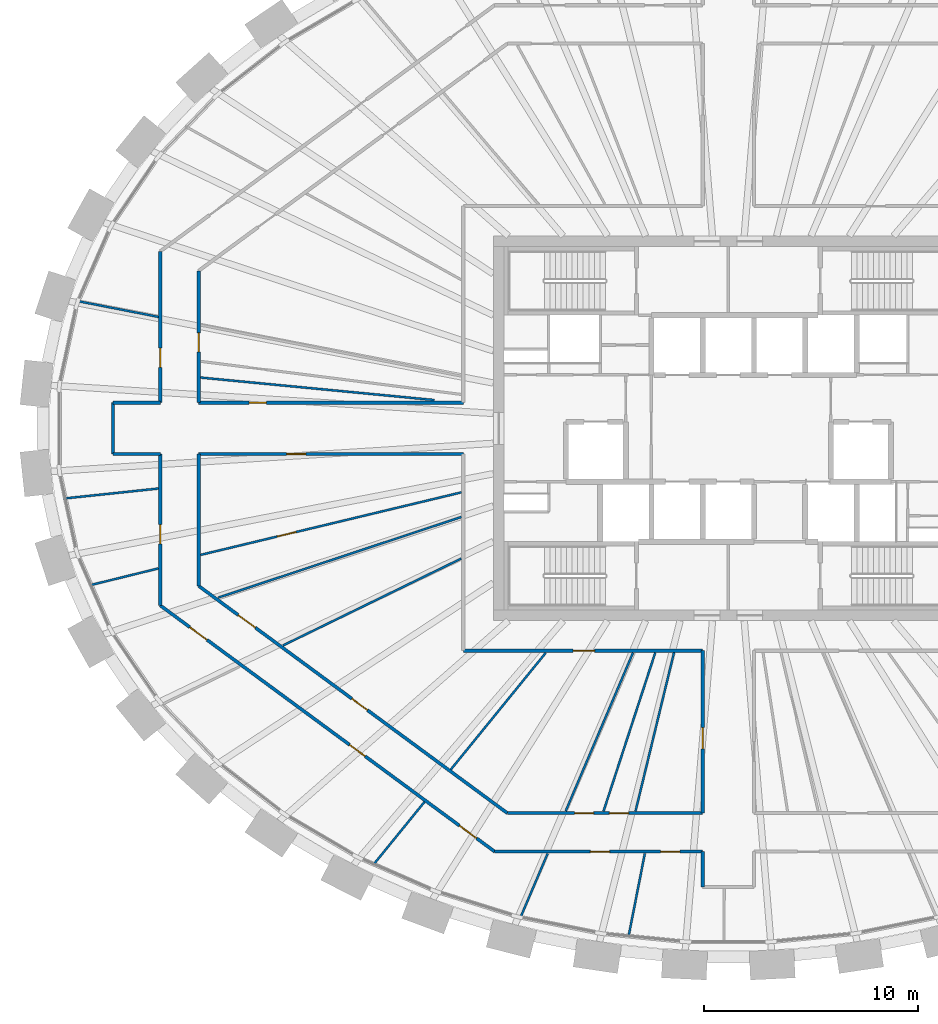
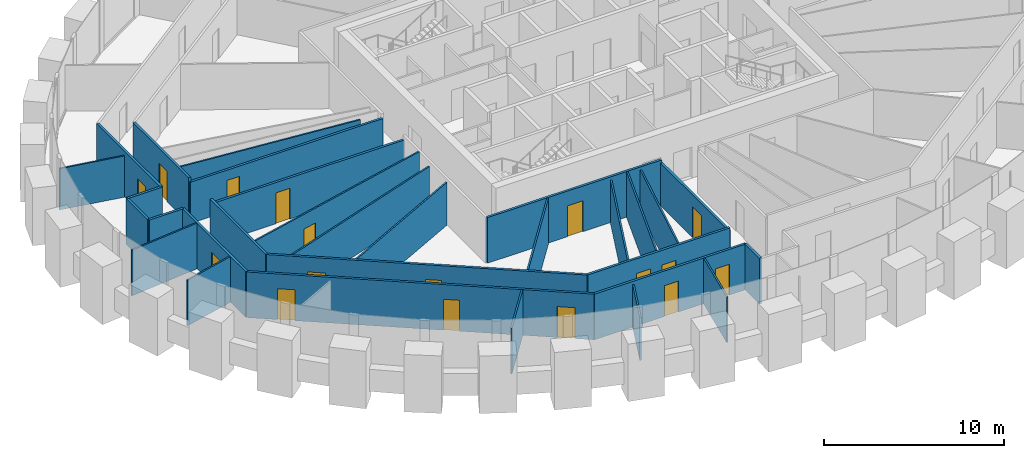
# One storey, part 6 of 12: 30 walls, 17 doors, 17 openings.
"""IFC4 building model written with IfcOpenShell, lengths in metres."""

from ifc_helpers import new_model, si_unit, direction, frame, frame_2d, origin, place, context, subcontext, project, spatial, rectangle, extrude, source, transform, mapped, material, layer, layer_set, type_object, element, fill, save


model = new_model("IFC4")

# Units and contexts
model_context = context("Model", 3, precision=1e-05, world=origin(), true_north=direction((0.0, 1.0)))
body_context = subcontext(model_context, "Body", "Model", "MODEL_VIEW")
ifc_project = project(units=[si_unit("LENGTHUNIT", "METRE"), si_unit("AREAUNIT", "SQUARE_METRE"), si_unit("VOLUMEUNIT", "CUBIC_METRE"), si_unit("PLANEANGLEUNIT", "RADIAN"), si_unit("MASSUNIT", "GRAM", prefix="KILO")], contexts=[model_context])

# Site, building, storey
site_placement = place(None, origin())
site = spatial("IfcSite", under=ifc_project, at=site_placement, CompositionType="ELEMENT")
building_placement = place(site_placement, origin())
building = spatial("IfcBuilding", under=site, at=building_placement, Name="Embergate Tower", CompositionType="ELEMENT")
storey_placement = place(building_placement, frame((0.0, 0.0, 273.39990234375)))
storey = spatial("IfcBuildingStorey", under=building, at=storey_placement, Name="L63", CompositionType="ELEMENT", Elevation=273.39990234375)

# Wall, opening, door
ifc_material_1 = material(Name="Corridor wall dry-lined 150")
ifc_layer_1 = layer(ifc_material_1, 0.14990234375)
ifc_layer_set_1 = layer_set([ifc_layer_1], Name="Corridor wall dry-lined 150")
wall_type_1 = type_object("IfcWallType", Name="Corridor wall dry-lined 150", PredefinedType="PARTITIONING", material=ifc_layer_set_1)
shared_shape_1 = source(origin(), body_context, "Body", "SweptSolid", [
    extrude(rectangle(XDim=11.199951171875, YDim=0.14990234375, at=frame_2d((5.60009765625, 0.0))), origin(), (0.0, 0.0, 1.0), 3.10009765625),
])
wall_1_placement = place(storey_placement, frame((-12.39990234375, -10.39990234375, 0.0), z_axis=(0.0, 0.0, 1.0), x_axis=(1.0, 0.0, 0.0)))
wall_1 = element("IfcWall", 1, at=wall_1_placement, inside=storey, type_object=wall_type_1, Name="IP-2 wall", PredefinedType="PARTITIONING", context=body_context, shape_type="MappedRepresentation", body=[
    mapped(shared_shape_1, transform((0.0, 0.0, 0.0))),
])
shared_shape_2 = source(origin(), body_context, "Body", "SweptSolid", [
    extrude(rectangle(XDim=1.0, YDim=2.10009765625, at=frame_2d((0.5, 1.050048828125))), frame((0.0, 0.0849609375, 0.0), z_axis=(0.0, -1.0, 0.0), x_axis=(1.0, 0.0, 0.0)), (0.0, 0.0, 1.0), 0.169921875),
])
opening_1_placement = place(wall_1_placement, frame((5.139892578125, 0.0, 0.0)))
opening_1 = element("IfcOpeningElement", 2, at=opening_1_placement, cuts=wall_1, Name="Opening ID-2", PredefinedType="OPENING", context=body_context, shape_type="MappedRepresentation", body=[
    mapped(shared_shape_2, transform((0.0, 0.0, 0.0))),
])
ifc_material_2 = material(Name="Interior door 1000")
door_type_1 = type_object("IfcDoorType", Name="Interior door 1000", OperationType="SINGLE_SWING_LEFT", PredefinedType="DOOR", material=ifc_material_2)
shared_shape_3 = source(origin(), body_context, "Body", "SweptSolid", [
    extrude(rectangle(XDim=1.0, YDim=2.10009765625, at=frame_2d((0.5, 1.050048828125))), frame((0.0, 0.02490234375, 0.0), z_axis=(0.0, -1.0, 0.0), x_axis=(1.0, 0.0, 0.0)), (0.0, 0.0, 1.0), 0.050048828125),
])
door_1_placement = place(opening_1_placement, origin())
door_1 = element("IfcDoor", 3, at=door_1_placement, inside=storey, type_object=door_type_1, Name="ID-2 door", OperationType="SINGLE_SWING_RIGHT", OverallHeight=2.10009765625, OverallWidth=1.0, PredefinedType="DOOR", context=body_context, shape_type="MappedRepresentation", body=[
    mapped(shared_shape_3, transform((0.0, 0.0, 0.0))),
])
fill(opening_1, door_1)

# Wall
shared_shape_4 = source(origin(), body_context, "Body", "SweptSolid", [
    extrude(rectangle(XDim=2.39990234375, YDim=0.14990234375, at=frame_2d((1.199951171875, 0.0))), origin(), (0.0, 0.0, 1.0), 3.10009765625),
])
wall_2_placement = place(storey_placement, frame((-28.797119140625, -1.199951171875, 0.0), z_axis=(0.0, 0.0, 1.0), x_axis=(0.0, 1.0, 0.0)))
element("IfcWall", 4, at=wall_2_placement, inside=storey, type_object=wall_type_1, Name="IP-2 wall", PredefinedType="PARTITIONING", context=body_context, shape_type="MappedRepresentation", body=[
    mapped(shared_shape_4, transform((0.0, 0.0, 0.0))),
])

# Wall, openings, doors
shared_shape_5 = source(origin(), body_context, "Body", "SweptSolid", [
    extrude(rectangle(XDim=19.429931640625, YDim=0.14990234375, at=frame_2d((9.71484375, 0.0))), origin(), (0.0, 0.0, 1.0), 3.10009765625),
])
wall_3_placement = place(storey_placement, frame((-26.5810546875, -8.283935546875, 0.0), z_axis=(0.0, 0.0, 1.0), x_axis=(0.8053507143, -0.592798639486, 0.0)))
wall_3 = element("IfcWall", 5, at=wall_3_placement, inside=storey, type_object=wall_type_1, Name="IP-2 wall", PredefinedType="PARTITIONING", context=body_context, shape_type="MappedRepresentation", body=[
    mapped(shared_shape_5, transform((0.0, 0.0, 0.0))),
])
shared_shape_6 = source(origin(), body_context, "Body", "SweptSolid", [
    extrude(rectangle(XDim=0.89990234375, YDim=2.10009765625, at=frame_2d((0.449951171875, 1.050048828125))), frame((0.0, 0.0849609375, 0.0), z_axis=(0.0, -1.0, 0.0), x_axis=(1.0, 0.0, 0.0)), (0.0, 0.0, 1.0), 0.169921875),
])
opening_2_placement = place(wall_3_placement, frame((11.000732421875, 0.0, 0.0)))
opening_2 = element("IfcOpeningElement", 6, at=opening_2_placement, cuts=wall_3, Name="Opening IF-1c", PredefinedType="OPENING", context=body_context, shape_type="MappedRepresentation", body=[
    mapped(shared_shape_6, transform((0.0, 0.0, 0.0))),
])
opening_3_placement = place(wall_3_placement, frame((17.377685546875, 0.0, 0.0)))
opening_3 = element("IfcOpeningElement", 7, at=opening_3_placement, cuts=wall_3, Name="Opening ID-2", PredefinedType="OPENING", context=body_context, shape_type="MappedRepresentation", body=[
    mapped(shared_shape_2, transform((0.0, 0.0, 0.0))),
])
opening_4_placement = place(wall_3_placement, frame((1.71484375, 0.0, 0.0)))
opening_4 = element("IfcOpeningElement", 8, at=opening_4_placement, cuts=wall_3, Name="Opening ID-2", PredefinedType="OPENING", context=body_context, shape_type="MappedRepresentation", body=[
    mapped(shared_shape_2, transform((0.0, 0.0, 0.0))),
])
ifc_material_3 = material(Name="Escape fire door 900")
door_type_2 = type_object("IfcDoorType", Name="Escape fire door 900", OperationType="SINGLE_SWING_LEFT", PredefinedType="DOOR", material=ifc_material_3)
shared_shape_7 = source(origin(), body_context, "Body", "SweptSolid", [
    extrude(rectangle(XDim=0.89990234375, YDim=2.10009765625, at=frame_2d((0.449951171875, 1.050048828125))), frame((0.0, 0.02490234375, 0.0), z_axis=(0.0, -1.0, 0.0), x_axis=(1.0, 0.0, 0.0)), (0.0, 0.0, 1.0), 0.050048828125),
])
door_2_placement = place(opening_2_placement, origin())
door_2 = element("IfcDoor", 9, at=door_2_placement, inside=storey, type_object=door_type_2, Name="IF-1 door", OperationType="SINGLE_SWING_LEFT", OverallHeight=2.10009765625, OverallWidth=0.89990234375, PredefinedType="DOOR", context=body_context, shape_type="MappedRepresentation", body=[
    mapped(shared_shape_7, transform((0.0, 0.0, 0.0))),
])
fill(opening_2, door_2)
door_3_placement = place(opening_3_placement, origin())
door_3 = element("IfcDoor", 10, at=door_3_placement, inside=storey, type_object=door_type_1, Name="ID-2 door", OperationType="SINGLE_SWING_LEFT", OverallHeight=2.10009765625, OverallWidth=1.0, PredefinedType="DOOR", context=body_context, shape_type="MappedRepresentation", body=[
    mapped(shared_shape_3, transform((0.0, 0.0, 0.0))),
])
fill(opening_3, door_3)
door_4_placement = place(opening_4_placement, origin())
door_4 = element("IfcDoor", 11, at=door_4_placement, inside=storey, type_object=door_type_1, Name="ID-2 door", OperationType="SINGLE_SWING_RIGHT", OverallHeight=2.10009765625, OverallWidth=1.0, PredefinedType="DOOR", context=body_context, shape_type="MappedRepresentation", body=[
    mapped(shared_shape_3, transform((0.0, 0.0, 0.0))),
])
fill(opening_4, door_4)

shared_shape_8 = source(origin(), body_context, "Body", "SweptSolid", [
    extrude(rectangle(XDim=9.733154296875, YDim=0.14990234375, at=frame_2d((4.86669921875, 0.0))), origin(), (0.0, 0.0, 1.0), 3.10009765625),
])
wall_4_placement = place(storey_placement, frame((-10.93310546875, -19.802001953125, 0.0), z_axis=(0.0, 0.0, 1.0), x_axis=(1.0, 0.0, 0.0)))
wall_4 = element("IfcWall", 12, at=wall_4_placement, inside=storey, type_object=wall_type_1, Name="IP-2 wall", PredefinedType="PARTITIONING", context=body_context, shape_type="MappedRepresentation", body=[
    mapped(shared_shape_8, transform((0.0, 0.0, 0.0))),
])
opening_5_placement = place(wall_4_placement, frame((4.48095703125, 0.0, 0.0)))
opening_5 = element("IfcOpeningElement", 13, at=opening_5_placement, cuts=wall_4, Name="Opening IF-1c", PredefinedType="OPENING", context=body_context, shape_type="MappedRepresentation", body=[
    mapped(shared_shape_6, transform((0.0, 0.0, 0.0))),
])
opening_6_placement = place(wall_4_placement, frame((7.759033203125, 0.0, 0.0)))
opening_6 = element("IfcOpeningElement", 14, at=opening_6_placement, cuts=wall_4, Name="Opening IF-1c", PredefinedType="OPENING", context=body_context, shape_type="MappedRepresentation", body=[
    mapped(shared_shape_6, transform((0.0, 0.0, 0.0))),
])
door_5_placement = place(opening_5_placement, origin())
door_5 = element("IfcDoor", 15, at=door_5_placement, inside=storey, type_object=door_type_2, Name="IF-1 door", OperationType="SINGLE_SWING_LEFT", OverallHeight=2.10009765625, OverallWidth=0.89990234375, PredefinedType="DOOR", context=body_context, shape_type="MappedRepresentation", body=[
    mapped(shared_shape_7, transform((0.0, 0.0, 0.0))),
])
fill(opening_5, door_5)
door_6_placement = place(opening_6_placement, origin())
door_6 = element("IfcDoor", 16, at=door_6_placement, inside=storey, type_object=door_type_2, Name="IF-1 door", OperationType="SINGLE_SWING_LEFT", OverallHeight=2.10009765625, OverallWidth=0.89990234375, PredefinedType="DOOR", context=body_context, shape_type="MappedRepresentation", body=[
    mapped(shared_shape_7, transform((0.0, 0.0, 0.0))),
])
fill(opening_6, door_6)

shared_shape_9 = source(origin(), body_context, "Body", "SweptSolid", [
    extrude(rectangle(XDim=17.9287109375, YDim=0.14990234375, at=frame_2d((8.96435546875, 0.0))), origin(), (0.0, 0.0, 1.0), 3.10009765625),
])
wall_5_placement = place(storey_placement, frame((-10.342041015625, -18.001953125, 0.0), z_axis=(0.0, 0.0, 1.0), x_axis=(-0.805356928681, 0.592790196803, 0.0)))
wall_5 = element("IfcWall", 17, at=wall_5_placement, inside=storey, type_object=wall_type_1, Name="IP-2 wall", PredefinedType="PARTITIONING", context=body_context, shape_type="MappedRepresentation", body=[
    mapped(shared_shape_9, transform((0.0, 0.0, 0.0))),
])
opening_7_placement = place(wall_5_placement, frame((8.131103515625, 0.0, 0.0)))
opening_7 = element("IfcOpeningElement", 18, at=opening_7_placement, cuts=wall_5, Name="Opening IF-1c", PredefinedType="OPENING", context=body_context, shape_type="MappedRepresentation", body=[
    mapped(shared_shape_6, transform((0.0, 0.0, 0.0))),
])
opening_8_placement = place(wall_5_placement, frame((14.636962890625, 0.0, 0.0)))
opening_8 = element("IfcOpeningElement", 19, at=opening_8_placement, cuts=wall_5, Name="Opening ID-2", PredefinedType="OPENING", context=body_context, shape_type="MappedRepresentation", body=[
    mapped(shared_shape_2, transform((0.0, 0.0, 0.0))),
])
door_7_placement = place(opening_7_placement, origin())
door_7 = element("IfcDoor", 20, at=door_7_placement, inside=storey, type_object=door_type_2, Name="IF-1 door", OperationType="SINGLE_SWING_RIGHT", OverallHeight=2.10009765625, OverallWidth=0.89990234375, PredefinedType="DOOR", context=body_context, shape_type="MappedRepresentation", body=[
    mapped(shared_shape_7, transform((0.0, 0.0, 0.0))),
])
fill(opening_7, door_7)
door_8_placement = place(opening_8_placement, origin())
door_8 = element("IfcDoor", 21, at=door_8_placement, inside=storey, type_object=door_type_1, Name="ID-2 door", OperationType="SINGLE_SWING_RIGHT", OverallHeight=2.10009765625, OverallWidth=1.0, PredefinedType="DOOR", context=body_context, shape_type="MappedRepresentation", body=[
    mapped(shared_shape_3, transform((0.0, 0.0, 0.0))),
])
fill(opening_8, door_8)

shared_shape_10 = source(origin(), body_context, "Body", "SweptSolid", [
    extrude(rectangle(XDim=9.14208984375, YDim=0.14990234375, at=frame_2d((4.571044921875, 0.0))), origin(), (0.0, 0.0, 1.0), 3.10009765625),
])
wall_6_placement = place(storey_placement, frame((-1.199951171875, -18.001953125, 0.0), z_axis=(0.0, 0.0, 1.0), x_axis=(-1.0, 0.0, 0.0)))
wall_6 = element("IfcWall", 22, at=wall_6_placement, inside=storey, type_object=wall_type_1, Name="IP-2 wall", PredefinedType="PARTITIONING", context=body_context, shape_type="MappedRepresentation", body=[
    mapped(shared_shape_10, transform((0.0, 0.0, 0.0))),
])
opening_9_placement = place(wall_6_placement, frame((5.09912109375, 0.0, 0.0)))
opening_9 = element("IfcOpeningElement", 23, at=opening_9_placement, cuts=wall_6, Name="Opening IF-1c", PredefinedType="OPENING", context=body_context, shape_type="MappedRepresentation", body=[
    mapped(shared_shape_6, transform((0.0, 0.0, 0.0))),
])
opening_10_placement = place(wall_6_placement, frame((3.468017578125, 0.0, 0.0)))
opening_10 = element("IfcOpeningElement", 24, at=opening_10_placement, cuts=wall_6, Name="Opening IF-1c", PredefinedType="OPENING", context=body_context, shape_type="MappedRepresentation", body=[
    mapped(shared_shape_6, transform((0.0, 0.0, 0.0))),
])
door_9_placement = place(opening_9_placement, origin())
door_9 = element("IfcDoor", 25, at=door_9_placement, inside=storey, type_object=door_type_2, Name="IF-1 door", OperationType="SINGLE_SWING_LEFT", OverallHeight=2.10009765625, OverallWidth=0.89990234375, PredefinedType="DOOR", context=body_context, shape_type="MappedRepresentation", body=[
    mapped(shared_shape_7, transform((0.0, 0.0, 0.0))),
])
fill(opening_9, door_9)
door_10_placement = place(opening_10_placement, origin())
door_10 = element("IfcDoor", 26, at=door_10_placement, inside=storey, type_object=door_type_2, Name="IF-1 door", OperationType="SINGLE_SWING_RIGHT", OverallHeight=2.10009765625, OverallWidth=0.89990234375, PredefinedType="DOOR", context=body_context, shape_type="MappedRepresentation", body=[
    mapped(shared_shape_7, transform((0.0, 0.0, 0.0))),
])
fill(opening_10, door_10)

# Wall
shared_shape_11 = source(origin(), body_context, "Body", "SweptSolid", [
    extrude(rectangle(XDim=1.656982421875, YDim=0.14990234375, at=frame_2d((0.82861328125, 0.0))), origin(), (0.0, 0.0, 1.0), 3.10009765625),
])
wall_7_placement = place(storey_placement, frame((-1.199951171875, -21.458984375, 0.0), z_axis=(0.0, 0.0, 1.0), x_axis=(0.0, 1.0, 0.0)))
element("IfcWall", 27, at=wall_7_placement, inside=storey, type_object=wall_type_1, Name="IP-2 wall", PredefinedType="PARTITIONING", context=body_context, shape_type="MappedRepresentation", body=[
    mapped(shared_shape_11, transform((0.0, 0.0, 0.0))),
])

# Wall, opening, door
shared_shape_12 = source(origin(), body_context, "Body", "SweptSolid", [
    extrude(rectangle(XDim=7.083984375, YDim=0.14990234375, at=frame_2d((3.5419921875, 0.0))), origin(), (0.0, 0.0, 1.0), 3.10009765625),
])
wall_8_placement = place(storey_placement, frame((-26.5810546875, 8.283935546875, 0.0), z_axis=(0.0, 0.0, 1.0), x_axis=(0.0, -1.0, 0.0)))
wall_8 = element("IfcWall", 28, at=wall_8_placement, inside=storey, type_object=wall_type_1, Name="IP-2 wall", PredefinedType="PARTITIONING", context=body_context, shape_type="MappedRepresentation", body=[
    mapped(shared_shape_12, transform((0.0, 0.0, 0.0))),
])
opening_11_placement = place(wall_8_placement, frame((4.534423828125, 0.0, 0.0)))
opening_11 = element("IfcOpeningElement", 29, at=opening_11_placement, cuts=wall_8, Name="Opening IF-1c", PredefinedType="OPENING", context=body_context, shape_type="MappedRepresentation", body=[
    mapped(shared_shape_6, transform((0.0, 0.0, 0.0))),
])
door_11_placement = place(opening_11_placement, origin())
door_11 = element("IfcDoor", 30, at=door_11_placement, inside=storey, type_object=door_type_2, Name="IF-1 door", OperationType="SINGLE_SWING_RIGHT", OverallHeight=2.10009765625, OverallWidth=0.89990234375, PredefinedType="DOOR", context=body_context, shape_type="MappedRepresentation", body=[
    mapped(shared_shape_7, transform((0.0, 0.0, 0.0))),
])
fill(opening_11, door_11)

wall_9_placement = place(storey_placement, frame((-26.5810546875, -8.283935546875, 0.0), z_axis=(0.0, 0.0, 1.0), x_axis=(0.0, 1.0, 0.0)))
wall_9 = element("IfcWall", 31, at=wall_9_placement, inside=storey, type_object=wall_type_1, Name="IP-2 wall", PredefinedType="PARTITIONING", context=body_context, shape_type="MappedRepresentation", body=[
    mapped(shared_shape_12, transform((0.0, 0.0, 0.0))),
])
opening_12_placement = place(wall_9_placement, frame((2.87744140625, 0.0, 0.0)))
opening_12 = element("IfcOpeningElement", 32, at=opening_12_placement, cuts=wall_9, Name="Opening IF-1c", PredefinedType="OPENING", context=body_context, shape_type="MappedRepresentation", body=[
    mapped(shared_shape_6, transform((0.0, 0.0, 0.0))),
])
door_12_placement = place(opening_12_placement, origin())
door_12 = element("IfcDoor", 33, at=door_12_placement, inside=storey, type_object=door_type_2, Name="IF-1 door", OperationType="SINGLE_SWING_RIGHT", OverallHeight=2.10009765625, OverallWidth=0.89990234375, PredefinedType="DOOR", context=body_context, shape_type="MappedRepresentation", body=[
    mapped(shared_shape_7, transform((0.0, 0.0, 0.0))),
])
fill(opening_12, door_12)

# Walls
shared_shape_13 = source(origin(), body_context, "Body", "SweptSolid", [
    extrude(rectangle(XDim=2.216064453125, YDim=0.14990234375, at=frame_2d((1.10791015625, 0.0))), origin(), (0.0, 0.0, 1.0), 3.10009765625),
])
for number, where, z_axis, x_axis, name in (
    (34, (-26.5810546875, -1.199951171875, 0.0), (0.0, 0.0, 1.0), (-1.0, 0.0, 0.0), "IP-2 wall"),
    (35, (-28.797119140625, 1.199951171875, 0.0), (0.0, 0.0, 1.0), (1.0, 0.0, 0.0), "IP-2 wall"),
):
    element("IfcWall", number, at=place(storey_placement, frame(where, z_axis=z_axis, x_axis=x_axis)), inside=storey, type_object=wall_type_1, Name=name, PredefinedType="PARTITIONING", context=body_context, shape_type="MappedRepresentation", body=[
        mapped(shared_shape_13, transform((0.0, 0.0, 0.0))),
    ])

# Wall, opening, door
shared_shape_14 = source(origin(), body_context, "Body", "SweptSolid", [
    extrude(rectangle(XDim=12.381103515625, YDim=0.14990234375, at=frame_2d((6.1904296875, 0.0))), origin(), (0.0, 0.0, 1.0), 2.800048828125),
])
wall_10_placement = place(storey_placement, frame((-12.39990234375, -1.199951171875, 0.0), z_axis=(0.0, 0.0, 1.0), x_axis=(-1.0, 0.0, 0.0)))
wall_10 = element("IfcWall", 36, at=wall_10_placement, inside=storey, type_object=wall_type_1, Name="IP-2 wall", PredefinedType="PARTITIONING", context=body_context, shape_type="MappedRepresentation", body=[
    mapped(shared_shape_14, transform((0.0, 0.0, 0.0))),
])
opening_13_placement = place(wall_10_placement, frame((7.373046875, 0.0, 0.0)))
opening_13 = element("IfcOpeningElement", 37, at=opening_13_placement, cuts=wall_10, Name="Opening IF-1c", PredefinedType="OPENING", context=body_context, shape_type="MappedRepresentation", body=[
    mapped(shared_shape_6, transform((0.0, 0.0, 0.0))),
])
door_13_placement = place(opening_13_placement, origin())
door_13 = element("IfcDoor", 38, at=door_13_placement, inside=storey, type_object=door_type_2, Name="IF-1 door", OperationType="SINGLE_SWING_RIGHT", OverallHeight=2.10009765625, OverallWidth=0.89990234375, PredefinedType="DOOR", context=body_context, shape_type="MappedRepresentation", body=[
    mapped(shared_shape_7, transform((0.0, 0.0, 0.0))),
])
fill(opening_13, door_13)

wall_11_placement = place(storey_placement, frame((-12.39990234375, 1.199951171875, 0.0), z_axis=(0.0, 0.0, 1.0), x_axis=(-1.0, 0.0, 0.0)))
wall_11 = element("IfcWall", 39, at=wall_11_placement, inside=storey, type_object=wall_type_1, Name="IP-2 wall", PredefinedType="PARTITIONING", context=body_context, shape_type="MappedRepresentation", body=[
    mapped(shared_shape_14, transform((0.0, 0.0, 0.0))),
])
shared_shape_15 = source(origin(), body_context, "Body", "SweptSolid", [
    extrude(rectangle(XDim=0.800048828125, YDim=2.10009765625, at=frame_2d((0.39990234375, 1.050048828125))), frame((0.0, 0.0849609375, 0.0), z_axis=(0.0, -1.0, 0.0), x_axis=(1.0, 0.0, 0.0)), (0.0, 0.0, 1.0), 0.169921875),
])
opening_14_placement = place(wall_11_placement, frame((9.218017578125, 0.0, 0.0)))
opening_14 = element("IfcOpeningElement", 40, at=opening_14_placement, cuts=wall_11, Name="Opening IF-1a", PredefinedType="OPENING", context=body_context, shape_type="MappedRepresentation", body=[
    mapped(shared_shape_15, transform((0.0, 0.0, 0.0))),
])
ifc_material_4 = material(Name="Escape fire door 800")
door_type_3 = type_object("IfcDoorType", Name="Escape fire door 800", OperationType="SINGLE_SWING_LEFT", PredefinedType="DOOR", material=ifc_material_4)
shared_shape_16 = source(origin(), body_context, "Body", "SweptSolid", [
    extrude(rectangle(XDim=0.800048828125, YDim=2.10009765625, at=frame_2d((0.39990234375, 1.050048828125))), frame((0.0, 0.02490234375, 0.0), z_axis=(0.0, -1.0, 0.0), x_axis=(1.0, 0.0, 0.0)), (0.0, 0.0, 1.0), 0.050048828125),
])
door_14_placement = place(opening_14_placement, origin())
door_14 = element("IfcDoor", 41, at=door_14_placement, inside=storey, type_object=door_type_3, Name="IF-1 door", OperationType="SINGLE_SWING_LEFT", OverallHeight=2.10009765625, OverallWidth=0.800048828125, PredefinedType="DOOR", context=body_context, shape_type="MappedRepresentation", body=[
    mapped(shared_shape_16, transform((0.0, 0.0, 0.0))),
])
fill(opening_14, door_14)

shared_shape_17 = source(origin(), body_context, "Body", "SweptSolid", [
    extrude(rectangle(XDim=6.174072265625, YDim=0.14990234375, at=frame_2d((3.0869140625, 0.0))), origin(), (0.0, 0.0, 1.0), 3.10009765625),
])
wall_12_placement = place(storey_placement, frame((-24.781005859375, 1.199951171875, 0.0), z_axis=(0.0, 0.0, 1.0), x_axis=(0.0, 1.0, 0.0)))
wall_12 = element("IfcWall", 42, at=wall_12_placement, inside=storey, type_object=wall_type_1, Name="IP-2 wall", PredefinedType="PARTITIONING", context=body_context, shape_type="MappedRepresentation", body=[
    mapped(shared_shape_17, transform((0.0, 0.0, 0.0))),
])
opening_15_placement = place(wall_12_placement, frame((2.3740234375, 0.0, 0.0)))
opening_15 = element("IfcOpeningElement", 43, at=opening_15_placement, cuts=wall_12, Name="Opening IF-1c", PredefinedType="OPENING", context=body_context, shape_type="MappedRepresentation", body=[
    mapped(shared_shape_6, transform((0.0, 0.0, 0.0))),
])
door_15_placement = place(opening_15_placement, origin())
door_15 = element("IfcDoor", 44, at=door_15_placement, inside=storey, type_object=door_type_2, Name="IF-1 door", OperationType="SINGLE_SWING_LEFT", OverallHeight=2.10009765625, OverallWidth=0.89990234375, PredefinedType="DOOR", context=body_context, shape_type="MappedRepresentation", body=[
    mapped(shared_shape_7, transform((0.0, 0.0, 0.0))),
])
fill(opening_15, door_15)

# Walls
wall_13_placement = place(storey_placement, frame((-24.781005859375, -1.199951171875, 0.0), z_axis=(0.0, 0.0, 1.0), x_axis=(0.0, -1.0, 0.0)))
element("IfcWall", 45, at=wall_13_placement, inside=storey, type_object=wall_type_1, Name="IP-2 wall", PredefinedType="PARTITIONING", context=body_context, shape_type="MappedRepresentation", body=[
    mapped(shared_shape_17, transform((0.0, 0.0, 0.0))),
])
ifc_material_5 = material(Name="Partition dry-lined 100")
ifc_layer_2 = layer(ifc_material_5, 0.10009765625)
ifc_layer_set_2 = layer_set([ifc_layer_2], Name="Partition dry-lined 100")
wall_type_2 = type_object("IfcWallType", Name="Partition dry-lined 100", PredefinedType="PARTITIONING", material=ifc_layer_set_2)
shared_shape_18 = source(origin(), body_context, "Body", "SweptSolid", [
    extrude(rectangle(XDim=3.78076171875, YDim=0.10009765625, at=frame_2d((1.890380859375, 0.0))), origin(), (0.0, 0.0, 1.0), 3.10009765625),
])
wall_14_placement = place(storey_placement, frame((-14.218017578125, -17.47705078125, 0.0), z_axis=(0.0, 0.0, 1.0), x_axis=(-0.631076271644, -0.77572078699, 0.0)))
element("IfcWall", 46, at=wall_14_placement, inside=storey, type_object=wall_type_2, Name="IP-1 wall", PredefinedType="PARTITIONING", context=body_context, shape_type="MappedRepresentation", body=[
    mapped(shared_shape_18, transform((0.0, 0.0, 0.0))),
])
shared_shape_19 = source(origin(), body_context, "Body", "SweptSolid", [
    extrude(rectangle(XDim=7.0322265625, YDim=0.10009765625, at=frame_2d((3.51611328125, 0.0))), origin(), (0.0, 0.0, 1.0), 3.10009765625),
])
wall_15_placement = place(storey_placement, frame((-8.548095703125, -10.507080078125, 0.0), z_axis=(0.0, 0.0, 1.0), x_axis=(-0.63110092236, -0.77570073211, 0.0)))
element("IfcWall", 47, at=wall_15_placement, inside=storey, type_object=wall_type_2, Name="IP-1 wall", PredefinedType="PARTITIONING", context=body_context, shape_type="MappedRepresentation", body=[
    mapped(shared_shape_19, transform((0.0, 0.0, 0.0))),
])
shared_shape_20 = source(origin(), body_context, "Body", "SweptSolid", [
    extrude(rectangle(XDim=3.978759765625, YDim=0.10009765625, at=frame_2d((1.9892578125, 0.0))), origin(), (0.0, 0.0, 1.0), 3.10009765625),
])
wall_16_placement = place(storey_placement, frame((-3.906982421875, -19.885986328125, 0.0), z_axis=(0.0, 0.0, 1.0), x_axis=(-0.192799110805, -0.981238249801, 0.0)))
element("IfcWall", 48, at=wall_16_placement, inside=storey, type_object=wall_type_2, Name="IP-1 wall", PredefinedType="PARTITIONING", context=body_context, shape_type="MappedRepresentation", body=[
    mapped(shared_shape_20, transform((0.0, 0.0, 0.0))),
])
shared_shape_21 = source(origin(), body_context, "Body", "SweptSolid", [
    extrude(rectangle(XDim=7.8046875, YDim=0.10009765625, at=frame_2d((3.90234375, 0.0))), origin(), (0.0, 0.0, 1.0), 3.10009765625),
])
wall_17_placement = place(storey_placement, frame((-3.419921875, -10.490966796875, 0.0), z_axis=(0.0, 0.0, 1.0), x_axis=(-0.310093130229, -0.950706185204, 0.0)))
element("IfcWall", 49, at=wall_17_placement, inside=storey, type_object=wall_type_2, Name="IP-1 wall", PredefinedType="PARTITIONING", context=body_context, shape_type="MappedRepresentation", body=[
    mapped(shared_shape_21, transform((0.0, 0.0, 0.0))),
])
shared_shape_22 = source(origin(), body_context, "Body", "SweptSolid", [
    extrude(rectangle(XDim=3.822021484375, YDim=0.10009765625, at=frame_2d((1.9111328125, 0.0))), origin(), (0.0, 0.0, 1.0), 2.800048828125),
])
wall_18_placement = place(storey_placement, frame((-26.666015625, 5.216064453125, 0.0), z_axis=(0.0, 0.0, 1.0), x_axis=(-0.98139265486, 0.192011606386, 0.0)))
element("IfcWall", 50, at=wall_18_placement, inside=storey, type_object=wall_type_2, Name="IP-1 wall", PredefinedType="PARTITIONING", context=body_context, shape_type="MappedRepresentation", body=[
    mapped(shared_shape_22, transform((0.0, 0.0, 0.0))),
])
shared_shape_23 = source(origin(), body_context, "Body", "SweptSolid", [
    extrude(rectangle(XDim=4.4658203125, YDim=0.10009765625, at=frame_2d((2.23291015625, 0.0))), origin(), (0.0, 0.0, 1.0), 3.10009765625),
])
wall_19_placement = place(storey_placement, frame((-26.660888671875, -2.81396484375, 0.0), z_axis=(0.0, 0.0, 1.0), x_axis=(-0.994470349589, -0.105017730832, 0.0)))
element("IfcWall", 51, at=wall_19_placement, inside=storey, type_object=wall_type_2, Name="IP-1 wall", PredefinedType="PARTITIONING", context=body_context, shape_type="MappedRepresentation", body=[
    mapped(shared_shape_23, transform((0.0, 0.0, 0.0))),
])
shared_shape_24 = source(origin(), body_context, "Body", "SweptSolid", [
    extrude(rectangle(XDim=3.31689453125, YDim=0.10009765625, at=frame_2d((1.658447265625, 0.0))), origin(), (0.0, 0.0, 1.0), 3.10009765625),
])
wall_20_placement = place(storey_placement, frame((-26.66796875, -6.552001953125, 0.0), z_axis=(0.0, 0.0, 1.0), x_axis=(-0.971074770792, -0.238775604976, 0.0)))
element("IfcWall", 52, at=wall_20_placement, inside=storey, type_object=wall_type_2, Name="IP-1 wall", PredefinedType="PARTITIONING", context=body_context, shape_type="MappedRepresentation", body=[
    mapped(shared_shape_24, transform((0.0, 0.0, 0.0))),
])

# Wall, opening, door
shared_shape_25 = source(origin(), body_context, "Body", "SweptSolid", [
    extrude(rectangle(XDim=12.552978515625, YDim=0.10009765625, at=frame_2d((6.2763671875, 0.0))), origin(), (0.0, 0.0, 1.0), 3.10009765625),
])
wall_21_placement = place(storey_placement, frame((-12.487060546875, -2.992919921875, 0.0), z_axis=(0.0, 0.0, 1.0), x_axis=(-0.972435829174, -0.233170663119, 0.0)))
wall_21 = element("IfcWall", 53, at=wall_21_placement, inside=storey, type_object=wall_type_2, Name="IP-1 wall", PredefinedType="PARTITIONING", context=body_context, shape_type="MappedRepresentation", body=[
    mapped(shared_shape_25, transform((0.0, 0.0, 0.0))),
])
shared_shape_26 = source(origin(), body_context, "Body", "SweptSolid", [
    extrude(rectangle(XDim=0.89990234375, YDim=2.10009765625, at=frame_2d((0.449951171875, 1.050048828125))), frame((0.0, 0.06005859375, 0.0), z_axis=(0.0, -1.0, 0.0), x_axis=(1.0, 0.0, 0.0)), (0.0, 0.0, 1.0), 0.1201171875),
])
opening_16_placement = place(wall_21_placement, frame((7.9609375, 0.0, 0.0)))
opening_16 = element("IfcOpeningElement", 54, at=opening_16_placement, cuts=wall_21, Name="Opening ID-1", PredefinedType="OPENING", context=body_context, shape_type="MappedRepresentation", body=[
    mapped(shared_shape_26, transform((0.0, 0.0, 0.0))),
])
ifc_material_6 = material(Name="Interior door 900")
door_type_4 = type_object("IfcDoorType", Name="Interior door 900", OperationType="SINGLE_SWING_LEFT", PredefinedType="DOOR", material=ifc_material_6)
door_16_placement = place(opening_16_placement, origin())
door_16 = element("IfcDoor", 55, at=door_16_placement, inside=storey, type_object=door_type_4, Name="ID-1 door", OperationType="SINGLE_SWING_RIGHT", OverallHeight=2.10009765625, OverallWidth=0.89990234375, PredefinedType="DOOR", context=body_context, shape_type="MappedRepresentation", body=[
    mapped(shared_shape_7, transform((0.0, 0.0, 0.0))),
])
fill(opening_16, door_16)

# Walls
shared_shape_27 = source(origin(), body_context, "Body", "SweptSolid", [
    extrude(rectangle(XDim=11.985595703125, YDim=0.10009765625, at=frame_2d((5.99267578125, 0.0))), origin(), (0.0, 0.0, 1.0), 2.800048828125),
])
wall_22_placement = place(storey_placement, frame((-12.490966796875, -4.14404296875, 0.0), z_axis=(0.0, 0.0, 1.0), x_axis=(-0.949134529704, -0.314870837844, 0.0)))
element("IfcWall", 56, at=wall_22_placement, inside=storey, type_object=wall_type_2, Name="IP-1 wall", PredefinedType="PARTITIONING", context=body_context, shape_type="MappedRepresentation", body=[
    mapped(shared_shape_27, transform((0.0, 0.0, 0.0))),
])
shared_shape_28 = source(origin(), body_context, "Body", "SweptSolid", [
    extrude(rectangle(XDim=10.99755859375, YDim=0.10009765625, at=frame_2d((5.498779296875, 0.0))), origin(), (0.0, 0.0, 1.0), 3.10009765625),
])
wall_23_placement = place(storey_placement, frame((-13.759033203125, 1.324951171875, 0.0), z_axis=(0.0, 0.0, 1.0), x_axis=(-0.995397267075, 0.095834652913, 0.0)))
element("IfcWall", 57, at=wall_23_placement, inside=storey, type_object=wall_type_2, Name="IP-1 wall", PredefinedType="PARTITIONING", context=body_context, shape_type="MappedRepresentation", body=[
    mapped(shared_shape_28, transform((0.0, 0.0, 0.0))),
])

# Wall, opening, door
shared_shape_29 = source(origin(), body_context, "Body", "SweptSolid", [
    extrude(rectangle(XDim=7.60205078125, YDim=0.14990234375, at=frame_2d((3.801025390625, 0.0))), origin(), (0.0, 0.0, 1.0), 2.900146484375),
])
wall_24_placement = place(storey_placement, frame((-1.199951171875, -18.001953125, 0.0), z_axis=(0.0, 0.0, 1.0), x_axis=(0.0, 1.0, 0.0)))
wall_24 = element("IfcWall", 58, at=wall_24_placement, inside=storey, type_object=wall_type_1, Name="IP-2 wall", PredefinedType="PARTITIONING", context=body_context, shape_type="MappedRepresentation", body=[
    mapped(shared_shape_29, transform((0.0, 0.0, 0.0))),
])
opening_17_placement = place(wall_24_placement, frame((3.000732421875, 0.0, 0.0)))
opening_17 = element("IfcOpeningElement", 59, at=opening_17_placement, cuts=wall_24, Name="Opening ID-2", PredefinedType="OPENING", context=body_context, shape_type="MappedRepresentation", body=[
    mapped(shared_shape_2, transform((0.0, 0.0, 0.0))),
])
door_17_placement = place(opening_17_placement, origin())
door_17 = element("IfcDoor", 60, at=door_17_placement, inside=storey, type_object=door_type_1, Name="ID-2 door", OperationType="SINGLE_SWING_RIGHT", OverallHeight=2.10009765625, OverallWidth=1.0, PredefinedType="DOOR", context=body_context, shape_type="MappedRepresentation", body=[
    mapped(shared_shape_3, transform((0.0, 0.0, 0.0))),
])
fill(opening_17, door_17)

# Walls
shared_shape_30 = source(origin(), body_context, "Body", "SweptSolid", [
    extrude(rectangle(XDim=3.234619140625, YDim=0.10009765625, at=frame_2d((1.6171875, 0.0))), origin(), (0.0, 0.0, 1.0), 2.900146484375),
])
wall_25_placement = place(storey_placement, frame((-8.45703125, -19.89599609375, 0.0), z_axis=(0.0, 0.0, 1.0), x_axis=(-0.391047939918, -0.920370310628, 0.0)))
element("IfcWall", 61, at=wall_25_placement, inside=storey, type_object=wall_type_2, Name="IP-1 wall", PredefinedType="PARTITIONING", context=body_context, shape_type="MappedRepresentation", body=[
    mapped(shared_shape_30, transform((0.0, 0.0, 0.0))),
])
shared_shape_31 = source(origin(), body_context, "Body", "SweptSolid", [
    extrude(rectangle(XDim=9.27783203125, YDim=0.10009765625, at=frame_2d((4.638916015625, 0.0))), origin(), (0.0, 0.0, 1.0), 2.900146484375),
])
wall_26_placement = place(storey_placement, frame((-12.4970703125, -6.091064453125, 0.0), z_axis=(0.0, 0.0, 1.0), x_axis=(-0.898907497404, -0.438138461118, 0.0)))
element("IfcWall", 62, at=wall_26_placement, inside=storey, type_object=wall_type_2, Name="IP-1 wall", PredefinedType="PARTITIONING", context=body_context, shape_type="MappedRepresentation", body=[
    mapped(shared_shape_31, transform((0.0, 0.0, 0.0))),
])
shared_shape_32 = source(origin(), body_context, "Body", "SweptSolid", [
    extrude(rectangle(XDim=8.053955078125, YDim=0.10009765625, at=frame_2d((4.02685546875, 0.0))), origin(), (0.0, 0.0, 1.0), 2.900146484375),
])
wall_27_placement = place(storey_placement, frame((-4.4609375, -10.4951171875, 0.0), z_axis=(0.0, 0.0, 1.0), x_axis=(-0.391254252204, -0.920282625139, 0.0)))
element("IfcWall", 63, at=wall_27_placement, inside=storey, type_object=wall_type_2, Name="IP-1 wall", PredefinedType="PARTITIONING", context=body_context, shape_type="MappedRepresentation", body=[
    mapped(shared_shape_32, transform((0.0, 0.0, 0.0))),
])
shared_shape_33 = source(origin(), body_context, "Body", "SweptSolid", [
    extrude(rectangle(XDim=7.6435546875, YDim=0.10009765625, at=frame_2d((3.82177734375, 0.0))), origin(), (0.0, 0.0, 1.0), 2.900146484375),
])
wall_28_placement = place(storey_placement, frame((-2.54296875, -10.487060546875, 0.0), z_axis=(0.0, 0.0, 1.0), x_axis=(-0.235758177272, -0.97181175227, 0.0)))
element("IfcWall", 64, at=wall_28_placement, inside=storey, type_object=wall_type_2, Name="IP-1 wall", PredefinedType="PARTITIONING", context=body_context, shape_type="MappedRepresentation", body=[
    mapped(shared_shape_33, transform((0.0, 0.0, 0.0))),
])

save(model, "model.ifc")
